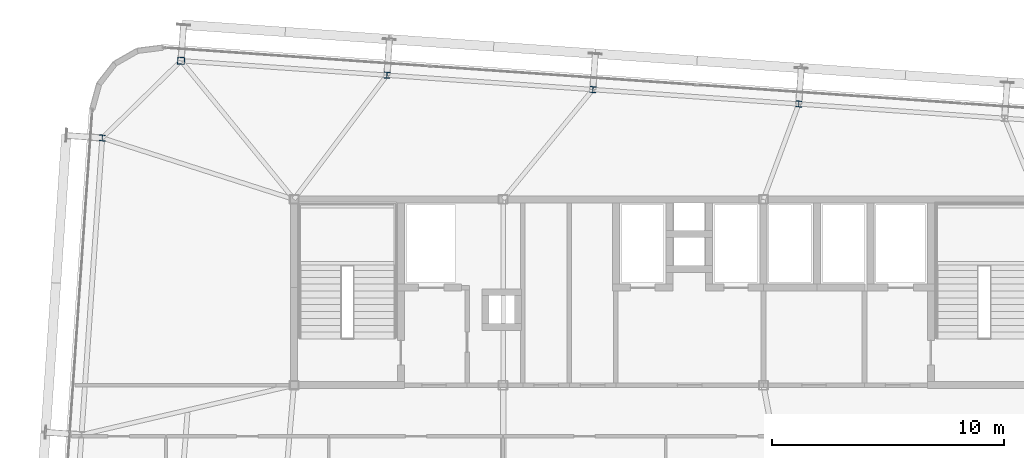
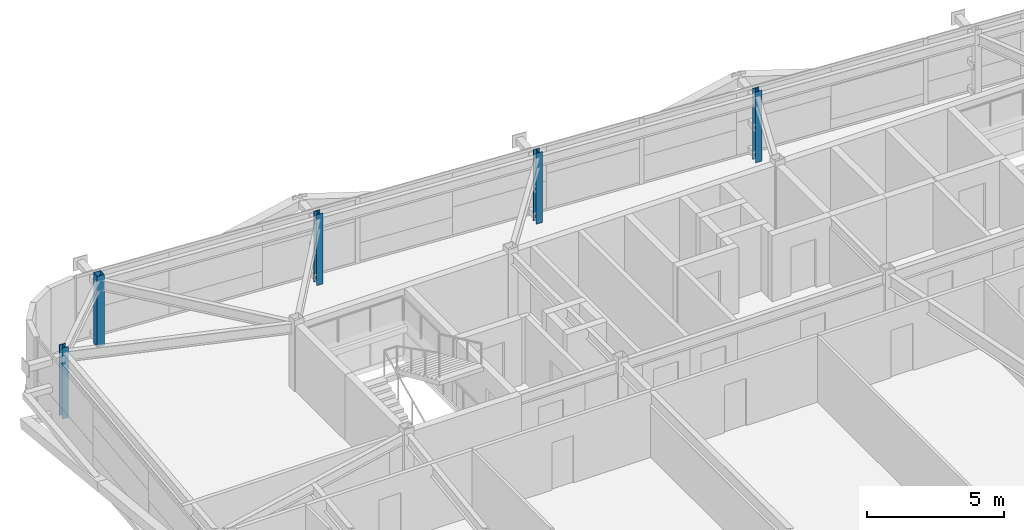
# One storey, part 4 of 39: 5 columns.
"""IFC4 building model written with IfcOpenShell, lengths in metres."""

import ifcopenshell
import ifcopenshell.guid

model = None  # the IFC model being written
_history = None  # IfcOwnerHistory: only IFC2X3 demands one
_inside = {}  # id of a spatial element -> (the spatial element, [elements in it])
_under = {}  # id of a project, library or spatial element -> (it, [spatial elements below it])
_declared = {}  # id of a project -> (the project, [libraries it declares])
_typed = {}  # id of a type object -> (the type object, [elements of that type])
_made_of = {}  # id of a material, layer set ... -> (it, [elements and type objects made of it])


def new_model(schema):
    """Start an empty IFC model of exactly this schema.

    Asked for "IFC4X3", IfcOpenShell would pick the latest addendum, in which some entities
    have other attributes; the version numbers below select the first issue.
    IFC2X3 requires an IfcOwnerHistory on every rooted entity: one is made here for all.
    """
    global model, _history
    if schema == "IFC4X3":
        model = ifcopenshell.file(schema_version=(4, 3, 0, 0))
    else:
        model = ifcopenshell.file(schema=schema)
    _inside.clear()
    _under.clear()
    _declared.clear()
    _typed.clear()
    _made_of.clear()
    _history = None
    if model.schema == "IFC2X3":
        org = make("IfcOrganization", Name="unknown")
        user = make(
            "IfcPersonAndOrganization",
            ThePerson=make("IfcPerson", FamilyName="unknown"),
            TheOrganization=org,
        )
        app = make(
            "IfcApplication",
            ApplicationDeveloper=org,
            Version="unknown",
            ApplicationFullName="unknown",
            ApplicationIdentifier="unknown",
        )
        _history = make(
            "IfcOwnerHistory",
            OwningUser=user,
            OwningApplication=app,
            ChangeAction="ADDED",
            CreationDate=0,
        )
    return model


def make(cls, **values):
    """One entity of the class cls with the attributes given. An attribute that is None is left unset."""
    return model.create_entity(
        cls, **{name: value for name, value in values.items() if value is not None}
    )


def rooted(cls, **values):
    """An entity with a GlobalId (a new one), such as an element, a storey or a relation."""
    return make(cls, GlobalId=ifcopenshell.guid.new(), OwnerHistory=_history, **values)


def si_unit(unit_type, name, prefix=None):
    """IfcSIUnit, for example si_unit("LENGTHUNIT", "METRE", prefix="MILLI")."""
    return make("IfcSIUnit", UnitType=unit_type, Prefix=prefix, Name=name)


def assignment(units):
    """IfcUnitAssignment: the units of a project."""
    return None if units is None else make("IfcUnitAssignment", Units=units)


def point(xyz):
    """IfcCartesianPoint."""
    return None if xyz is None else make("IfcCartesianPoint", Coordinates=xyz)


def direction(xyz):
    """IfcDirection."""
    return None if xyz is None else make("IfcDirection", DirectionRatios=xyz)


def frame(location, z_axis=None, x_axis=None):
    """IfcAxis2Placement3D, a coordinate frame: its origin and axes. An axis left out is left unset."""
    return make(
        "IfcAxis2Placement3D",
        Location=point(location),
        Axis=direction(z_axis),
        RefDirection=direction(x_axis),
    )


def frame_2d(location, x_axis=None):
    """IfcAxis2Placement2D, a coordinate frame in the plane: its origin and x axis."""
    return make(
        "IfcAxis2Placement2D", Location=point(location), RefDirection=direction(x_axis)
    )


def origin():
    """The frame at (0, 0, 0) with its axes left unset."""
    return frame((0.0, 0.0, 0.0))


def origin_2d():
    """The frame at (0, 0) in the plane with its x axis left unset."""
    return frame_2d((0.0, 0.0))


def place(relative_to, where):
    """IfcLocalPlacement: puts the frame where relative to a parent placement (None: the world)."""
    return make(
        "IfcLocalPlacement", PlacementRelTo=relative_to, RelativePlacement=where
    )


def context(
    kind, dimensions, precision=None, world=None, true_north=None, identifier=None
):
    """IfcGeometricRepresentationContext, for example the 3D "Model" context."""
    return make(
        "IfcGeometricRepresentationContext",
        ContextIdentifier=identifier,
        ContextType=kind,
        CoordinateSpaceDimension=dimensions,
        Precision=precision,
        WorldCoordinateSystem=world,
        TrueNorth=true_north,
    )


def subcontext(parent, identifier, kind, view, scale=None):
    """IfcGeometricRepresentationSubContext, for example "Body" below "Model"."""
    return make(
        "IfcGeometricRepresentationSubContext",
        ContextIdentifier=identifier,
        ContextType=kind,
        ParentContext=parent,
        TargetScale=scale,
        TargetView=view,
    )


def project(units=None, contexts=None):
    """IfcProject with its units and contexts."""
    return rooted(
        "IfcProject",
        Name="project",
        RepresentationContexts=contexts,
        UnitsInContext=assignment(units),
    )


def spatial(cls, under=None, at=None, **own):
    """A site, building, storey or space (cls), placed at a placement, below another one or the project."""
    s = rooted(cls, ObjectPlacement=at, **own)
    if under is not None:
        _under.setdefault(under.id(), (under, []))[1].append(s)
    return s


def profile(cls, at=None, kind="AREA", **sizes):
    """A parametric profile (cls). Its sizes go by their IFC names, for example OverallWidth=200.0."""
    return make(cls, ProfileType=kind, Position=at, **sizes)


def hollow_rectangle(**sizes):
    """IfcRectangleHollowProfileDef."""
    return profile("IfcRectangleHollowProfileDef", **sizes)


def i_section(**sizes):
    """IfcIShapeProfileDef."""
    return profile("IfcIShapeProfileDef", **sizes)


def extrude(swept, where, along, depth):
    """IfcExtrudedAreaSolid: the profile swept, set in the frame where, extruded along a direction by depth."""
    return make(
        "IfcExtrudedAreaSolid",
        SweptArea=swept,
        Position=where,
        ExtrudedDirection=direction(along),
        Depth=depth,
    )


def shape(context_of_items, identifier, shape_type, items):
    """IfcShapeRepresentation: the items that make up one representation, for example the "Body"."""
    return make(
        "IfcShapeRepresentation",
        ContextOfItems=context_of_items,
        RepresentationIdentifier=identifier,
        RepresentationType=shape_type,
        Items=items,
    )


def source(mapping_origin, context_of_items, identifier, shape_type, items):
    """IfcRepresentationMap: a shape defined once, which mapped items show again and again."""
    return make(
        "IfcRepresentationMap",
        MappingOrigin=mapping_origin,
        MappedRepresentation=shape(context_of_items, identifier, shape_type, items),
    )


def transform(
    local_origin,
    x_axis=None,
    y_axis=None,
    z_axis=None,
    scale=None,
    scale2=None,
    scale3=None,
    uniform=True,
):
    """IfcCartesianTransformationOperator3D, or its non-uniform kind. x_axis, y_axis, z_axis: its Axis1, 2, 3."""
    if uniform:
        return make(
            "IfcCartesianTransformationOperator3D",
            Axis1=direction(x_axis),
            Axis2=direction(y_axis),
            LocalOrigin=point(local_origin),
            Scale=scale,
            Axis3=direction(z_axis),
        )
    return make(
        "IfcCartesianTransformationOperator3DnonUniform",
        Axis1=direction(x_axis),
        Axis2=direction(y_axis),
        LocalOrigin=point(local_origin),
        Scale=scale,
        Axis3=direction(z_axis),
        Scale2=scale2,
        Scale3=scale3,
    )


def mapped(mapping_source, mapping_target):
    """IfcMappedItem: shows the shape of a source again, moved by a transform."""
    return make(
        "IfcMappedItem", MappingSource=mapping_source, MappingTarget=mapping_target
    )


def material(Name=None, Category=None):
    """IfcMaterial."""
    return make("IfcMaterial", Name=Name, Category=Category)


def material_profile(
    of_material, cross_section, Name=None, Category=None, Priority=None
):
    """IfcMaterialProfile: a cross section and its material."""
    return make(
        "IfcMaterialProfile",
        Name=Name,
        Material=of_material,
        Profile=cross_section,
        Priority=Priority,
        Category=Category,
    )


def profile_set(profiles, Name=None, composite=None):
    """IfcMaterialProfileSet."""
    return make(
        "IfcMaterialProfileSet",
        Name=Name,
        MaterialProfiles=profiles,
        CompositeProfile=composite,
    )


def made_of(thing, what):
    """Note that an element or type object is made of a material, layer set ...; save() writes the relation."""
    if what is not None:
        _made_of.setdefault(what.id(), (what, []))[1].append(thing)
    return thing


def type_object(cls, material=None, **own):
    """A type object (cls), such as IfcWallType, which elements share."""
    return made_of(rooted(cls, **own), material)


def element(
    cls,
    number,
    at=None,
    inside=None,
    cuts=None,
    type_object=None,
    material=None,
    context=None,
    identifier="Body",
    shape_type=None,
    held_by="IfcProductDefinitionShape",
    body=None,
    shapes=None,
    **own,
):
    """One element of the class cls, such as IfcWall. Its Tag is "e" and its number.

    at: its placement. inside: the storey or other place that contains it. cuts: it is an
    opening in that element (IfcRelVoidsElement). A single representation is given by context,
    identifier, shape_type and body (its items); several are given by shapes. held_by: the class
    of the entity that holds the representations. save() writes the other relations.
    """
    e = rooted(cls, Tag="e%d" % number, ObjectPlacement=at, **own)
    if body is not None:
        shapes = [shape(context, identifier, shape_type, body)]
    if shapes is not None:
        e.Representation = make(held_by, Representations=shapes)
    if inside is not None:
        _inside.setdefault(inside.id(), (inside, []))[1].append(e)
    if cuts is not None:
        rooted(
            "IfcRelVoidsElement", RelatingBuildingElement=cuts, RelatedOpeningElement=e
        )
    if type_object is not None:
        _typed.setdefault(type_object.id(), (type_object, []))[1].append(e)
    return made_of(e, material)


def aggregate(whole, parts):
    """IfcRelAggregates: a whole, such as a stair, and the parts it consists of."""
    return rooted("IfcRelAggregates", RelatingObject=whole, RelatedObjects=parts)


def save(model, path):
    """Write the relations noted so far, then the file.

    IfcRelAggregates (storeys below a building ...), IfcRelContainedInSpatialStructure (elements
    in a storey), IfcRelDefinesByType, IfcRelAssociatesMaterial and IfcRelDeclares: one each for
    every whole, place, type object, material and project.
    """
    for whole, parts in _under.values():
        aggregate(whole, parts)
    for where, things in _inside.values():
        rooted(
            "IfcRelContainedInSpatialStructure",
            RelatedElements=things,
            RelatingStructure=where,
        )
    for kind, things in _typed.values():
        rooted("IfcRelDefinesByType", RelatedObjects=things, RelatingType=kind)
    for what, things in _made_of.values():
        rooted("IfcRelAssociatesMaterial", RelatedObjects=things, RelatingMaterial=what)
    for by, libraries in _declared.values():
        rooted("IfcRelDeclares", RelatingContext=by, RelatedDefinitions=libraries)
    model.write(path)


model = new_model("IFC4")

# Units and contexts
model_context = context("Model", 3, precision=1e-05, world=origin(), true_north=direction((0.0, 1.0)))
body_context = subcontext(model_context, "Body", "Model", "MODEL_VIEW")
ifc_project = project(units=[si_unit("LENGTHUNIT", "METRE"), si_unit("AREAUNIT", "SQUARE_METRE"), si_unit("VOLUMEUNIT", "CUBIC_METRE"), si_unit("PLANEANGLEUNIT", "RADIAN"), si_unit("MASSUNIT", "GRAM", prefix="KILO")], contexts=[model_context])

# Site, building, storey
site_placement = place(None, origin())
site = spatial("IfcSite", under=ifc_project, at=site_placement, CompositionType="ELEMENT")
building_placement = place(site_placement, origin())
building = spatial("IfcBuilding", under=site, at=building_placement, Name="Taldren Reach Tower", CompositionType="ELEMENT")
storey_placement = place(building_placement, frame((0.0, 0.0, 151.89990234375)))
storey = spatial("IfcBuildingStorey", under=building, at=storey_placement, Name="L46", CompositionType="ELEMENT", Elevation=151.89990234375)

# Columns
ifc_material_1 = material(Name="Steel Gr 450 (C450L0)", Category="steel")
ifc_material_profile_1 = material_profile(ifc_material_1, hollow_rectangle(XDim=0.300048828125, YDim=0.300048828125, WallThickness=0.012451171875, at=origin_2d()), Name="300x300x12.5SHS")
ifc_profile_set_1 = profile_set([ifc_material_profile_1], Name="Steel Gr 450 (C450L0)")
column_type_1 = type_object("IfcColumnType", Name="COL-SHS300", PredefinedType="COLUMN", material=ifc_profile_set_1)
shared_shape_1 = source(origin(), body_context, "Body", "SweptSolid", [
    extrude(hollow_rectangle(XDim=0.300048828125, YDim=0.300048828125, WallThickness=0.012451171875, at=origin_2d()), origin(), (0.0, 0.0, 1.0), 3.150146484375),
])
column_placement = place(storey_placement, frame((14.14453125, 37.958740234375, 0.0), z_axis=(0.0, 0.0, 1.0), x_axis=(0.99756405026, -0.069756473744, 0.0)))
element("IfcColumn", 1, at=column_placement, inside=storey, type_object=column_type_1, Name="Block B3 perimeter column N1 L46", PredefinedType="COLUMN", context=body_context, shape_type="MappedRepresentation", body=[
    mapped(shared_shape_1, transform((0.0, 0.0, 0.0), scale=1.0)),
])
ifc_material_2 = material(Name="Steel Gr 350 (350PLUS)", Category="steel")
ifc_material_profile_2 = material_profile(ifc_material_2, i_section(OverallWidth=0.256103515625, OverallDepth=0.260009765625, WebThickness=0.010498046875, FlangeThickness=0.017333984375, at=origin_2d()), Name="250UC89.5")
ifc_profile_set_2 = profile_set([ifc_material_profile_2], Name="Steel Gr 350 (350PLUS)")
column_type_2 = type_object("IfcColumnType", Name="COL-UC250", PredefinedType="COLUMN", material=ifc_profile_set_2)
shared_shape_2 = source(origin(), body_context, "Body", "SweptSolid", [
    extrude(i_section(OverallWidth=0.256103515625, OverallDepth=0.260009765625, WebThickness=0.010498046875, FlangeThickness=0.017333984375, at=origin_2d()), origin(), (0.0, 0.0, 1.0), 3.150146484375),
])
for number, where, z_axis, x_axis, name in (
    (2, (23.0029296875, 37.33935546875, 0.0), (0.0, 0.0, 1.0), (0.99756405026, -0.069756473744, 0.0), "Block B3 perimeter column N2 L46"),
    (3, (31.861328125, 36.719970703125, 0.0), (0.0, 0.0, 1.0), (0.99756405026, -0.069756473744, 0.0), "Block B3 perimeter column N3 L46"),
    (4, (40.7197265625, 36.100341796875, 0.0), (0.0, 0.0, 1.0), (0.99756405026, -0.069756473744, 0.0), "Block B3 perimeter column N4 L46"),
    (5, (10.754638671875, 34.63720703125, 0.0), (0.0, 0.0, 1.0), (0.99756405026, -0.069756473744, 0.0), "Block B3 perimeter column W3 L46"),
):
    element("IfcColumn", number, at=place(storey_placement, frame(where, z_axis=z_axis, x_axis=x_axis)), inside=storey, type_object=column_type_2, Name=name, PredefinedType="COLUMN", context=body_context, shape_type="MappedRepresentation", body=[
        mapped(shared_shape_2, transform((0.0, 0.0, 0.0), scale=1.0)),
    ])

save(model, "model.ifc")
